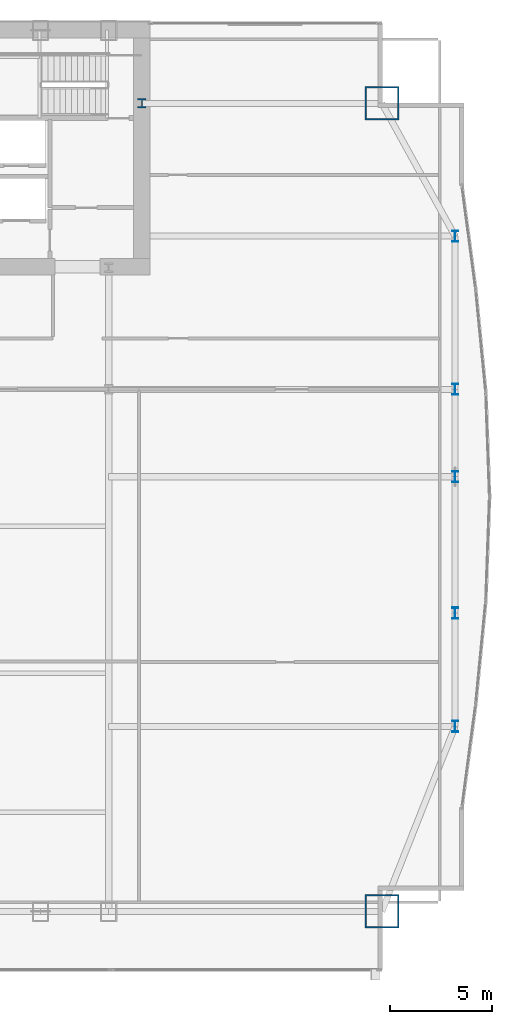
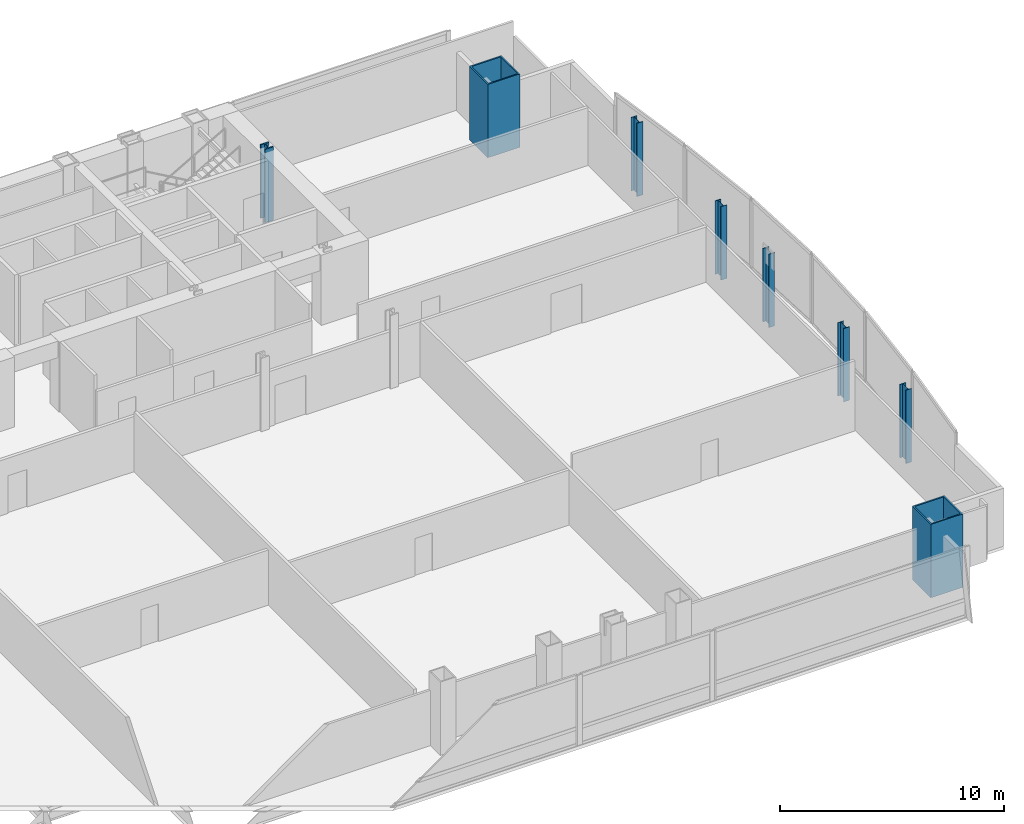
# One storey, part 4 of 35: 8 columns.
"""IFC4 building model written with IfcOpenShell, lengths in metres."""

import ifcopenshell
import ifcopenshell.guid

model = None  # the IFC model being written
_history = None  # IfcOwnerHistory: only IFC2X3 demands one
_inside = {}  # id of a spatial element -> (the spatial element, [elements in it])
_under = {}  # id of a project, library or spatial element -> (it, [spatial elements below it])
_declared = {}  # id of a project -> (the project, [libraries it declares])
_typed = {}  # id of a type object -> (the type object, [elements of that type])
_made_of = {}  # id of a material, layer set ... -> (it, [elements and type objects made of it])


def new_model(schema):
    """Start an empty IFC model of exactly this schema.

    Asked for "IFC4X3", IfcOpenShell would pick the latest addendum, in which some entities
    have other attributes; the version numbers below select the first issue.
    IFC2X3 requires an IfcOwnerHistory on every rooted entity: one is made here for all.
    """
    global model, _history
    if schema == "IFC4X3":
        model = ifcopenshell.file(schema_version=(4, 3, 0, 0))
    else:
        model = ifcopenshell.file(schema=schema)
    _inside.clear()
    _under.clear()
    _declared.clear()
    _typed.clear()
    _made_of.clear()
    _history = None
    if model.schema == "IFC2X3":
        org = make("IfcOrganization", Name="unknown")
        user = make(
            "IfcPersonAndOrganization",
            ThePerson=make("IfcPerson", FamilyName="unknown"),
            TheOrganization=org,
        )
        app = make(
            "IfcApplication",
            ApplicationDeveloper=org,
            Version="unknown",
            ApplicationFullName="unknown",
            ApplicationIdentifier="unknown",
        )
        _history = make(
            "IfcOwnerHistory",
            OwningUser=user,
            OwningApplication=app,
            ChangeAction="ADDED",
            CreationDate=0,
        )
    return model


def make(cls, **values):
    """One entity of the class cls with the attributes given. An attribute that is None is left unset."""
    return model.create_entity(
        cls, **{name: value for name, value in values.items() if value is not None}
    )


def rooted(cls, **values):
    """An entity with a GlobalId (a new one), such as an element, a storey or a relation."""
    return make(cls, GlobalId=ifcopenshell.guid.new(), OwnerHistory=_history, **values)


def si_unit(unit_type, name, prefix=None):
    """IfcSIUnit, for example si_unit("LENGTHUNIT", "METRE", prefix="MILLI")."""
    return make("IfcSIUnit", UnitType=unit_type, Prefix=prefix, Name=name)


def assignment(units):
    """IfcUnitAssignment: the units of a project."""
    return None if units is None else make("IfcUnitAssignment", Units=units)


def point(xyz):
    """IfcCartesianPoint."""
    return None if xyz is None else make("IfcCartesianPoint", Coordinates=xyz)


def direction(xyz):
    """IfcDirection."""
    return None if xyz is None else make("IfcDirection", DirectionRatios=xyz)


def frame(location, z_axis=None, x_axis=None):
    """IfcAxis2Placement3D, a coordinate frame: its origin and axes. An axis left out is left unset."""
    return make(
        "IfcAxis2Placement3D",
        Location=point(location),
        Axis=direction(z_axis),
        RefDirection=direction(x_axis),
    )


def frame_2d(location, x_axis=None):
    """IfcAxis2Placement2D, a coordinate frame in the plane: its origin and x axis."""
    return make(
        "IfcAxis2Placement2D", Location=point(location), RefDirection=direction(x_axis)
    )


def origin():
    """The frame at (0, 0, 0) with its axes left unset."""
    return frame((0.0, 0.0, 0.0))


def origin_2d():
    """The frame at (0, 0) in the plane with its x axis left unset."""
    return frame_2d((0.0, 0.0))


def place(relative_to, where):
    """IfcLocalPlacement: puts the frame where relative to a parent placement (None: the world)."""
    return make(
        "IfcLocalPlacement", PlacementRelTo=relative_to, RelativePlacement=where
    )


def context(
    kind, dimensions, precision=None, world=None, true_north=None, identifier=None
):
    """IfcGeometricRepresentationContext, for example the 3D "Model" context."""
    return make(
        "IfcGeometricRepresentationContext",
        ContextIdentifier=identifier,
        ContextType=kind,
        CoordinateSpaceDimension=dimensions,
        Precision=precision,
        WorldCoordinateSystem=world,
        TrueNorth=true_north,
    )


def subcontext(parent, identifier, kind, view, scale=None):
    """IfcGeometricRepresentationSubContext, for example "Body" below "Model"."""
    return make(
        "IfcGeometricRepresentationSubContext",
        ContextIdentifier=identifier,
        ContextType=kind,
        ParentContext=parent,
        TargetScale=scale,
        TargetView=view,
    )


def project(units=None, contexts=None):
    """IfcProject with its units and contexts."""
    return rooted(
        "IfcProject",
        Name="project",
        RepresentationContexts=contexts,
        UnitsInContext=assignment(units),
    )


def spatial(cls, under=None, at=None, **own):
    """A site, building, storey or space (cls), placed at a placement, below another one or the project."""
    s = rooted(cls, ObjectPlacement=at, **own)
    if under is not None:
        _under.setdefault(under.id(), (under, []))[1].append(s)
    return s


def profile(cls, at=None, kind="AREA", **sizes):
    """A parametric profile (cls). Its sizes go by their IFC names, for example OverallWidth=200.0."""
    return make(cls, ProfileType=kind, Position=at, **sizes)


def hollow_rectangle(**sizes):
    """IfcRectangleHollowProfileDef."""
    return profile("IfcRectangleHollowProfileDef", **sizes)


def i_section(**sizes):
    """IfcIShapeProfileDef."""
    return profile("IfcIShapeProfileDef", **sizes)


def extrude(swept, where, along, depth):
    """IfcExtrudedAreaSolid: the profile swept, set in the frame where, extruded along a direction by depth."""
    return make(
        "IfcExtrudedAreaSolid",
        SweptArea=swept,
        Position=where,
        ExtrudedDirection=direction(along),
        Depth=depth,
    )


def shape(context_of_items, identifier, shape_type, items):
    """IfcShapeRepresentation: the items that make up one representation, for example the "Body"."""
    return make(
        "IfcShapeRepresentation",
        ContextOfItems=context_of_items,
        RepresentationIdentifier=identifier,
        RepresentationType=shape_type,
        Items=items,
    )


def material(Name=None, Category=None):
    """IfcMaterial."""
    return make("IfcMaterial", Name=Name, Category=Category)


def material_profile(
    of_material, cross_section, Name=None, Category=None, Priority=None
):
    """IfcMaterialProfile: a cross section and its material."""
    return make(
        "IfcMaterialProfile",
        Name=Name,
        Material=of_material,
        Profile=cross_section,
        Priority=Priority,
        Category=Category,
    )


def profile_set(profiles, Name=None, composite=None):
    """IfcMaterialProfileSet."""
    return make(
        "IfcMaterialProfileSet",
        Name=Name,
        MaterialProfiles=profiles,
        CompositeProfile=composite,
    )


def made_of(thing, what):
    """Note that an element or type object is made of a material, layer set ...; save() writes the relation."""
    if what is not None:
        _made_of.setdefault(what.id(), (what, []))[1].append(thing)
    return thing


def type_object(cls, material=None, **own):
    """A type object (cls), such as IfcWallType, which elements share."""
    return made_of(rooted(cls, **own), material)


def element(
    cls,
    number,
    at=None,
    inside=None,
    cuts=None,
    type_object=None,
    material=None,
    context=None,
    identifier="Body",
    shape_type=None,
    held_by="IfcProductDefinitionShape",
    body=None,
    shapes=None,
    **own,
):
    """One element of the class cls, such as IfcWall. Its Tag is "e" and its number.

    at: its placement. inside: the storey or other place that contains it. cuts: it is an
    opening in that element (IfcRelVoidsElement). A single representation is given by context,
    identifier, shape_type and body (its items); several are given by shapes. held_by: the class
    of the entity that holds the representations. save() writes the other relations.
    """
    e = rooted(cls, Tag="e%d" % number, ObjectPlacement=at, **own)
    if body is not None:
        shapes = [shape(context, identifier, shape_type, body)]
    if shapes is not None:
        e.Representation = make(held_by, Representations=shapes)
    if inside is not None:
        _inside.setdefault(inside.id(), (inside, []))[1].append(e)
    if cuts is not None:
        rooted(
            "IfcRelVoidsElement", RelatingBuildingElement=cuts, RelatedOpeningElement=e
        )
    if type_object is not None:
        _typed.setdefault(type_object.id(), (type_object, []))[1].append(e)
    return made_of(e, material)


def aggregate(whole, parts):
    """IfcRelAggregates: a whole, such as a stair, and the parts it consists of."""
    return rooted("IfcRelAggregates", RelatingObject=whole, RelatedObjects=parts)


def save(model, path):
    """Write the relations noted so far, then the file.

    IfcRelAggregates (storeys below a building ...), IfcRelContainedInSpatialStructure (elements
    in a storey), IfcRelDefinesByType, IfcRelAssociatesMaterial and IfcRelDeclares: one each for
    every whole, place, type object, material and project.
    """
    for whole, parts in _under.values():
        aggregate(whole, parts)
    for where, things in _inside.values():
        rooted(
            "IfcRelContainedInSpatialStructure",
            RelatedElements=things,
            RelatingStructure=where,
        )
    for kind, things in _typed.values():
        rooted("IfcRelDefinesByType", RelatedObjects=things, RelatingType=kind)
    for what, things in _made_of.values():
        rooted("IfcRelAssociatesMaterial", RelatedObjects=things, RelatingMaterial=what)
    for by, libraries in _declared.values():
        rooted("IfcRelDeclares", RelatingContext=by, RelatedDefinitions=libraries)
    model.write(path)


model = new_model("IFC4")

# Units and contexts
model_context = context("Model", 3, precision=1e-05, world=origin(), true_north=direction((0.0, 1.0)))
body_context = subcontext(model_context, "Body", "Model", "MODEL_VIEW")
ifc_project = project(units=[si_unit("LENGTHUNIT", "METRE"), si_unit("AREAUNIT", "SQUARE_METRE"), si_unit("VOLUMEUNIT", "CUBIC_METRE"), si_unit("PLANEANGLEUNIT", "RADIAN"), si_unit("MASSUNIT", "GRAM", prefix="KILO")], contexts=[model_context])

# Site, building, storey
site_placement = place(None, origin())
site = spatial("IfcSite", under=ifc_project, at=site_placement, CompositionType="ELEMENT")
building_placement = place(site_placement, origin())
building = spatial("IfcBuilding", under=site, at=building_placement, Name="Khoronbel Lancet Exchange", CompositionType="ELEMENT")
storey_placement = place(building_placement, frame((0.0, 0.0, 69.800048828125)))
storey = spatial("IfcBuildingStorey", under=building, at=storey_placement, Name="L16", CompositionType="ELEMENT", Elevation=69.800048828125)

# Columns
ifc_material_1 = material(Name="Steel S460", Category="steel")
ifc_material_profile_1 = material_profile(ifc_material_1, i_section(OverallWidth=0.424072265625, OverallDepth=0.47412109375, WebThickness=0.047607421875, FlangeThickness=0.076904296875, at=origin_2d()), Name="HD 400x634")
ifc_profile_set_1 = profile_set([ifc_material_profile_1], Name="Steel S460")
column_type_1 = type_object("IfcColumnType", Name="COL-IC1", PredefinedType="COLUMN", material=ifc_profile_set_1)
column_placement = place(storey_placement, frame((56.300048828125, 49.699951171875, 0.0), z_axis=(0.0, 0.0, 1.0), x_axis=(1.0, 0.0, 0.0)))
element("IfcColumn", 1, at=column_placement, inside=storey, type_object=column_type_1, Name="Core-flank plumb transfer column CFE L16", PredefinedType="COLUMN", context=body_context, shape_type="SweptSolid", body=[
    extrude(i_section(OverallWidth=0.424072265625, OverallDepth=0.47412109375, WebThickness=0.047607421875, FlangeThickness=0.076904296875, at=origin_2d()), origin(), (0.0, 0.0, 1.0), 4.0),
])
ifc_material_2 = material(Name="Steel S355", Category="steel")
ifc_material_profile_2 = material_profile(ifc_material_2, i_section(OverallWidth=0.300048828125, OverallDepth=0.550048828125, WebThickness=0.014892578125, FlangeThickness=0.029052734375, at=origin_2d()), Name="HEB 550")
ifc_profile_set_2 = profile_set([ifc_material_profile_2], Name="Steel S355")
column_type_2 = type_object("IfcColumnType", Name="COL-LC1", PredefinedType="COLUMN", material=ifc_profile_set_2)
for number, where, z_axis, x_axis, name in (
    (2, (71.6298828125, 19.199951171875, 0.0), (0.0, 0.0, 1.0), (1.0, 0.0, 0.0), "Structural column EC-1 L16"),
    (3, (71.6298828125, 24.75, 0.0), (0.0, 0.0, 1.0), (1.0, 0.0, 0.0), "Structural column EC-2 L16"),
    (4, (71.6298828125, 31.425048828125, 0.0), (0.0, 0.0, 1.0), (1.0, 0.0, 0.0), "Structural column EC-M L16"),
    (5, (71.6298828125, 35.699951171875, 0.0), (0.0, 0.0, 1.0), (1.0, 0.0, 0.0), "Structural column EC-3 L16"),
    (6, (71.6298828125, 43.199951171875, 0.0), (0.0, 0.0, 1.0), (1.0, 0.0, 0.0), "Structural column EC-4 L16"),
):
    element("IfcColumn", number, at=place(storey_placement, frame(where, z_axis=z_axis, x_axis=x_axis)), inside=storey, type_object=column_type_2, Name=name, PredefinedType="COLUMN", context=body_context, shape_type="SweptSolid", body=[
        extrude(i_section(OverallWidth=0.300048828125, OverallDepth=0.550048828125, WebThickness=0.014892578125, FlangeThickness=0.029052734375, at=origin_2d()), origin(), (0.0, 0.0, 1.0), 4.0),
    ])
ifc_material_profile_3 = material_profile(ifc_material_1, hollow_rectangle(XDim=1.64990234375, YDim=1.64990234375, WallThickness=0.074951171875, at=origin_2d()), Name="BOX 1650x1650x75")
ifc_profile_set_3 = profile_set([ifc_material_profile_3], Name="Steel S460")
column_type_3 = type_object("IfcColumnType", Name="COL-MC2", PredefinedType="COLUMN", material=ifc_profile_set_3)
for number, where, z_axis, x_axis, name in (
    (7, (68.050048828125, 10.14990234375, 0.0), (0.0, 0.0, 1.0), (1.0, 0.0, 0.0), "Structural column MC-SE L16"),
    (8, (68.050048828125, 49.699951171875, 0.0), (0.0, 0.0, 1.0), (1.0, 0.0, 0.0), "Structural column MC-NE L16"),
):
    element("IfcColumn", number, at=place(storey_placement, frame(where, z_axis=z_axis, x_axis=x_axis)), inside=storey, type_object=column_type_3, Name=name, PredefinedType="COLUMN", context=body_context, shape_type="SweptSolid", body=[
        extrude(hollow_rectangle(XDim=1.64990234375, YDim=1.64990234375, WallThickness=0.074951171875, at=origin_2d()), origin(), (0.0, 0.0, 1.0), 4.0),
    ])

save(model, "model.ifc")
